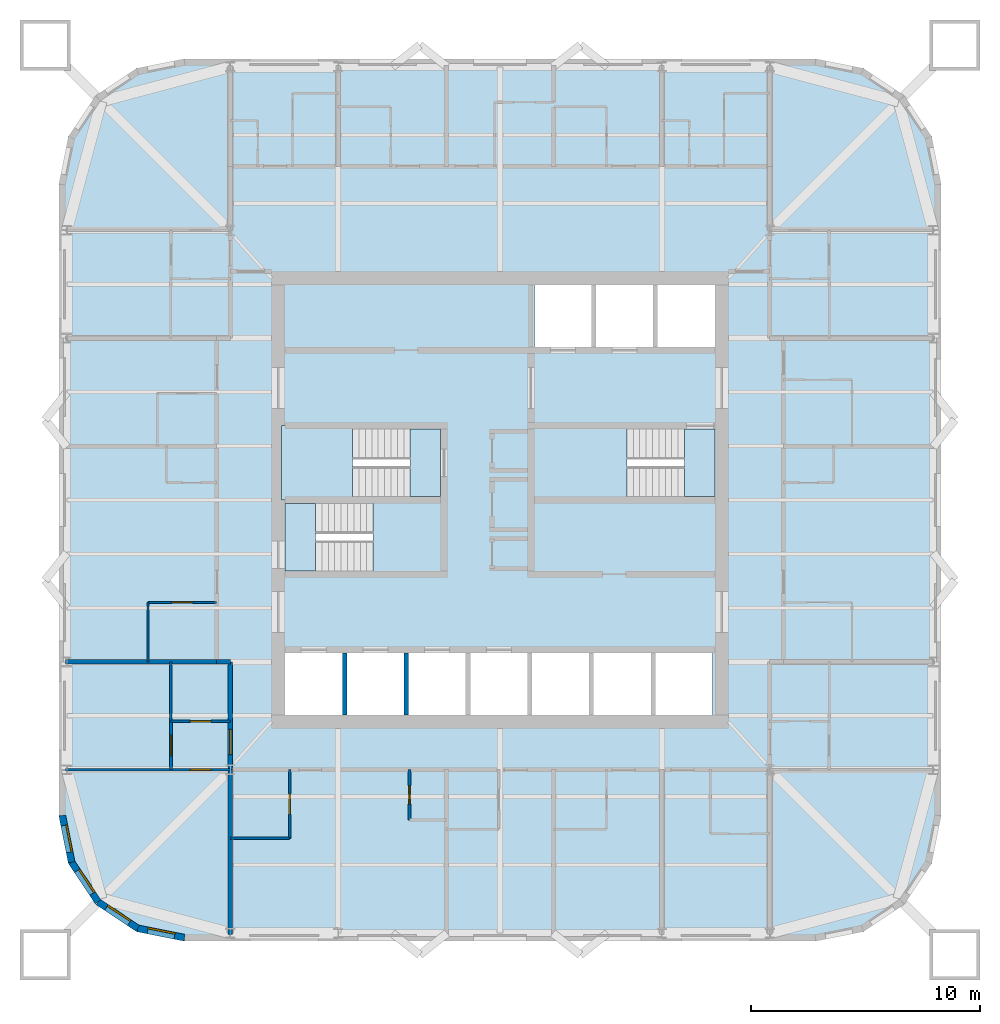
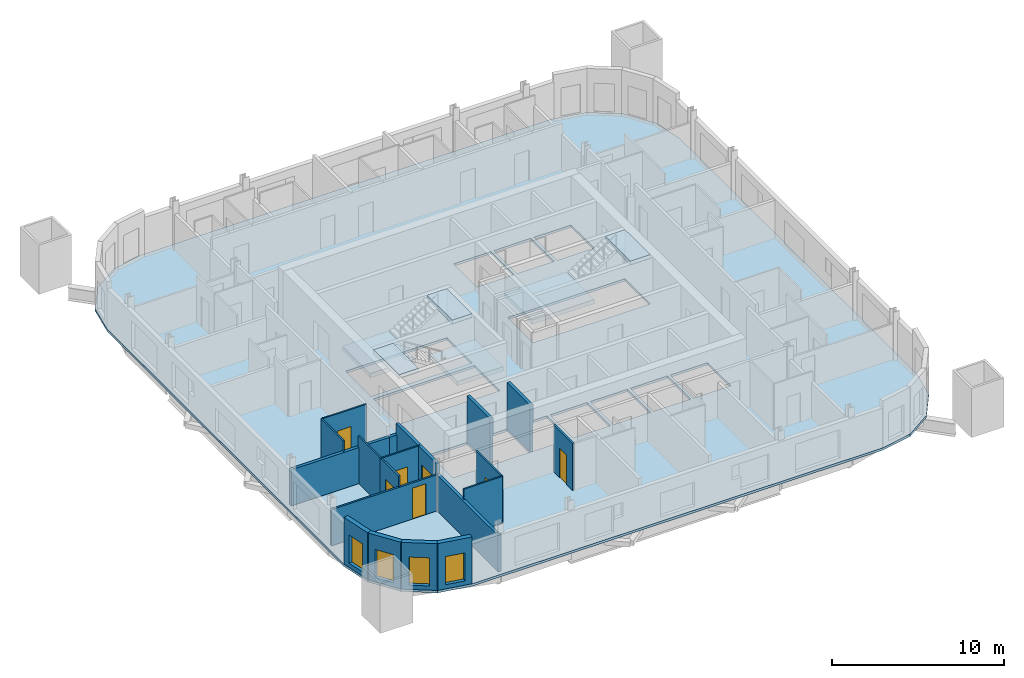
# One storey, part 2 of 9: 19 walls, 7 doors, 7 slabs, 4 windows, 11 openings, 3 elements without a shape of their own.
"""IFC4 building model written with IfcOpenShell, lengths in metres."""

from ifc_helpers import new_model, si_unit, direction, frame, frame_2d, origin, place, context, subcontext, project, spatial, polyline, rectangle, outline, extrude, material, layer, layer_set, type_object, element, fill, aggregate, save


model = new_model("IFC4")

# Units and contexts
model_context = context("Model", 3, precision=1e-05, world=origin(), true_north=direction((0.0, 1.0)))
body_context = subcontext(model_context, "Body", "Model", "MODEL_VIEW")
ifc_project = project(units=[si_unit("LENGTHUNIT", "METRE"), si_unit("AREAUNIT", "SQUARE_METRE"), si_unit("VOLUMEUNIT", "CUBIC_METRE"), si_unit("PLANEANGLEUNIT", "RADIAN"), si_unit("MASSUNIT", "GRAM", prefix="KILO")], contexts=[model_context])

# Site, building, storey
site_placement = place(None, origin())
site = spatial("IfcSite", under=ifc_project, at=site_placement, CompositionType="ELEMENT")
building_placement = place(site_placement, origin())
building = spatial("IfcBuilding", under=site, at=building_placement, Name="Turquesa Mirador Hotel Tower", CompositionType="ELEMENT")
storey_placement = place(building_placement, frame((0.0, 0.0, 186.300048828125)))
storey = spatial("IfcBuildingStorey", under=building, at=storey_placement, Name="L50", CompositionType="ELEMENT", Elevation=186.300048828125)

# Slab
ifc_material_1 = material(Name="Concrete C28/35", Category="concrete")
ifc_layer_1 = layer(ifc_material_1, 0.169921875)
ifc_layer_set_1 = layer_set([ifc_layer_1], Name="COMPOSITE FLOOR SLAB 170")
slab_type_1 = type_object("IfcSlabType", Name="COMPOSITE FLOOR SLAB 170", PredefinedType="FLOOR", material=ifc_layer_set_1)
slab_1_placement = place(storey_placement, frame((0.0, 0.0, -0.170166015625)))
element("IfcSlab", 1, at=slab_1_placement, inside=storey, type_object=slab_type_1, Name="Floor slab L50", PredefinedType="FLOOR", context=body_context, shape_type="SweptSolid", body=[
    extrude(outline(polyline([(68.800048828125, 25.699951171875), (70.90478515625, 26.11865234375), (72.689208984375, 27.310791015625), (73.88134765625, 29.09521484375), (74.300048828125, 31.199951171875), (74.300048828125, 58.800048828125), (73.88134765625, 60.90478515625), (72.689208984375, 62.689208984375), (70.90478515625, 63.88134765625), (68.800048828125, 64.300048828125), (41.199951171875, 64.300048828125), (39.09521484375, 63.88134765625), (37.310791015625, 62.689208984375), (36.11865234375, 60.90478515625), (35.699951171875, 58.800048828125), (35.699951171875, 31.199951171875), (36.11865234375, 29.09521484375), (37.310791015625, 27.310791015625), (39.09521484375, 26.11865234375), (41.199951171875, 25.699951171875), (68.800048828125, 25.699951171875)]), holes=[polyline([(56.5, 51.699951171875), (59.0, 51.699951171875), (59.0, 54.39990234375), (56.5, 54.39990234375), (56.5, 51.699951171875)]), polyline([(59.199951171875, 51.699951171875), (61.699951171875, 51.699951171875), (61.699951171875, 54.39990234375), (59.199951171875, 54.39990234375), (59.199951171875, 51.699951171875)]), polyline([(45.60009765625, 35.60009765625), (48.10009765625, 35.60009765625), (48.10009765625, 38.300048828125), (45.60009765625, 38.300048828125), (45.60009765625, 35.60009765625)]), polyline([(48.300048828125, 35.60009765625), (50.800048828125, 35.60009765625), (50.800048828125, 38.300048828125), (48.300048828125, 38.300048828125), (48.300048828125, 35.60009765625)]), polyline([(51.0, 35.60009765625), (53.5, 35.60009765625), (53.5, 38.300048828125), (51.0, 38.300048828125), (51.0, 35.60009765625)]), polyline([(53.699951171875, 35.60009765625), (56.199951171875, 35.60009765625), (56.199951171875, 38.300048828125), (53.699951171875, 38.300048828125), (53.699951171875, 35.60009765625)]), polyline([(56.39990234375, 35.60009765625), (58.89990234375, 35.60009765625), (58.89990234375, 38.300048828125), (56.39990234375, 38.300048828125), (56.39990234375, 35.60009765625)]), polyline([(59.10009765625, 35.60009765625), (61.60009765625, 35.60009765625), (61.60009765625, 38.300048828125), (59.10009765625, 38.300048828125), (59.10009765625, 35.60009765625)]), polyline([(61.800048828125, 35.60009765625), (64.300048828125, 35.60009765625), (64.300048828125, 38.300048828125), (61.800048828125, 38.300048828125), (61.800048828125, 35.60009765625)]), polyline([(45.60009765625, 45.14990234375), (52.39990234375, 45.14990234375), (52.39990234375, 48.10009765625), (45.60009765625, 48.10009765625), (45.60009765625, 45.14990234375)]), polyline([(45.60009765625, 41.89990234375), (52.39990234375, 41.89990234375), (52.39990234375, 44.85009765625), (45.60009765625, 44.85009765625), (45.60009765625, 41.89990234375)]), polyline([(56.5, 45.14990234375), (64.39990234375, 45.14990234375), (64.39990234375, 48.10009765625), (56.5, 48.10009765625), (56.5, 45.14990234375)]), polyline([(61.89990234375, 51.699951171875), (64.39990234375, 51.699951171875), (64.39990234375, 54.39990234375), (61.89990234375, 54.39990234375), (61.89990234375, 51.699951171875)])]), origin(), (0.0, 0.0, 1.0), 0.170166015625),
])

# Stair, slabs
ifc_material_2 = material(Name="Concrete C35/45", Category="concrete")
stair_type = type_object("IfcStairType", Name="ESCAPE STAIR CORE", PredefinedType="HALF_TURN_STAIR", material=ifc_material_2)
stair_1_placement = place(storey_placement, origin())
stair_1 = element("IfcStair", 2, at=stair_1_placement, inside=storey, type_object=stair_type, Name="Stair ST1 L50 to L51", PredefinedType="HALF_TURN_STAIR")
ifc_material_3 = material(Name="Concrete C35/45", Category="concrete")
ifc_layer_2 = layer(ifc_material_3, 0.300048828125)
ifc_layer_set_2 = layer_set([ifc_layer_2], Name="STAIR LANDING 300")
slab_type_2 = type_object("IfcSlabType", Name="STAIR LANDING 300", PredefinedType="LANDING", material=ifc_layer_set_2)
slab_2_placement = place(storey_placement, frame((0.0, 0.0, 1.449951171875)))
slab_2 = element("IfcSlab", 3, at=slab_2_placement, type_object=slab_type_2, Name="ST1 landing 1", PredefinedType="LANDING", context=body_context, shape_type="SweptSolid", body=[
    extrude(outline(polyline([(45.449951171875, 45.0), (48.550048828125, 45.0), (48.550048828125, 48.25), (45.449951171875, 48.25), (45.449951171875, 45.0)])), origin(), (0.0, 0.0, 1.0), 0.300048828125),
])
slab_3_placement = place(storey_placement, frame((0.0, 0.0, 3.199951171875)))
slab_3 = element("IfcSlab", 4, at=slab_3_placement, type_object=slab_type_2, Name="ST1 landing 2", PredefinedType="LANDING", context=body_context, shape_type="SweptSolid", body=[
    extrude(outline(polyline([(51.070068359375, 45.14990234375), (52.39990234375, 45.14990234375), (52.39990234375, 48.10009765625), (51.070068359375, 48.10009765625), (51.070068359375, 45.14990234375)])), origin(), (0.0, 0.0, 1.0), 0.300048828125),
])
aggregate(stair_1, [slab_2, slab_3])

stair_2_placement = place(storey_placement, origin())
stair_2 = element("IfcStair", 5, at=stair_2_placement, inside=storey, type_object=stair_type, Name="Stair ST2 L50 to L51", PredefinedType="HALF_TURN_STAIR")
slab_4_placement = place(storey_placement, frame((0.0, 0.0, 1.449951171875)))
slab_4 = element("IfcSlab", 6, at=slab_4_placement, type_object=slab_type_2, Name="ST2 landing 1", PredefinedType="LANDING", context=body_context, shape_type="SweptSolid", body=[
    extrude(outline(polyline([(52.550048828125, 45.0), (49.449951171875, 45.0), (49.449951171875, 41.75), (52.550048828125, 41.75), (52.550048828125, 45.0)])), origin(), (0.0, 0.0, 1.0), 0.300048828125),
])
slab_5_placement = place(storey_placement, frame((0.0, 0.0, 3.199951171875)))
slab_5 = element("IfcSlab", 7, at=slab_5_placement, type_object=slab_type_2, Name="ST2 landing 2", PredefinedType="LANDING", context=body_context, shape_type="SweptSolid", body=[
    extrude(outline(polyline([(46.929931640625, 44.85009765625), (45.60009765625, 44.85009765625), (45.60009765625, 41.89990234375), (46.929931640625, 41.89990234375), (46.929931640625, 44.85009765625)])), origin(), (0.0, 0.0, 1.0), 0.300048828125),
])
aggregate(stair_2, [slab_4, slab_5])

stair_3_placement = place(storey_placement, origin())
stair_3 = element("IfcStair", 8, at=stair_3_placement, inside=storey, type_object=stair_type, Name="Stair ST3 L50 to L51", PredefinedType="HALF_TURN_STAIR")
slab_6_placement = place(storey_placement, frame((0.0, 0.0, 1.449951171875)))
slab_6 = element("IfcSlab", 9, at=slab_6_placement, type_object=slab_type_2, Name="ST3 landing 1", PredefinedType="LANDING", context=body_context, shape_type="SweptSolid", body=[
    extrude(outline(polyline([(56.35009765625, 45.0), (60.550048828125, 45.0), (60.550048828125, 48.25), (56.35009765625, 48.25), (56.35009765625, 45.0)])), origin(), (0.0, 0.0, 1.0), 0.300048828125),
])
slab_7_placement = place(storey_placement, frame((0.0, 0.0, 3.199951171875)))
slab_7 = element("IfcSlab", 10, at=slab_7_placement, type_object=slab_type_2, Name="ST3 landing 2", PredefinedType="LANDING", context=body_context, shape_type="SweptSolid", body=[
    extrude(outline(polyline([(63.070068359375, 45.14990234375), (64.39990234375, 45.14990234375), (64.39990234375, 48.10009765625), (63.070068359375, 48.10009765625), (63.070068359375, 45.14990234375)])), origin(), (0.0, 0.0, 1.0), 0.300048828125),
])
aggregate(stair_3, [slab_6, slab_7])

# Wall
ifc_material_4 = material(Name="Gypsum board on steel studs", Category="steel")
ifc_layer_3 = layer(ifc_material_4, 0.10009765625)
ifc_layer_set_3 = layer_set([ifc_layer_3], Name="BATHROOM WALL 100")
wall_type_1 = type_object("IfcWallType", Name="BATHROOM WALL 100", PredefinedType="PARTITIONING", material=ifc_layer_set_3)
wall_1_placement = place(storey_placement, frame((43.199951171875, 30.199951171875, 0.0), z_axis=(0.0, 0.0, 1.0), x_axis=(1.0, 0.0, 0.0)))
element("IfcWall", 11, at=wall_1_placement, inside=storey, type_object=wall_type_1, Name="Partition L50 008", PredefinedType="PARTITIONING", context=body_context, shape_type="SweptSolid", body=[
    extrude(rectangle(XDim=2.60009765625, YDim=0.10009765625, at=frame_2d((1.300048828125, 0.0))), origin(), (0.0, 0.0, 1.0), 3.329833984375),
])

# Wall, opening, door
wall_2_placement = place(storey_placement, frame((39.60009765625, 40.52001953125, 0.0), z_axis=(0.0, 0.0, 1.0), x_axis=(1.0, 0.0, 0.0)))
wall_2 = element("IfcWall", 12, at=wall_2_placement, inside=storey, type_object=wall_type_1, Name="Partition L50 009", PredefinedType="PARTITIONING", context=body_context, shape_type="SweptSolid", body=[
    extrude(rectangle(XDim=3.0, YDim=0.10009765625, at=frame_2d((1.5, 0.0))), origin(), (0.0, 0.0, 1.0), 3.329833984375),
])
opening_1_placement = place(wall_2_placement, frame((1.050048828125, 0.0, 0.0)))
opening_1 = element("IfcOpeningElement", 13, at=opening_1_placement, cuts=wall_2, Name="Opening D02", PredefinedType="OPENING", context=body_context, shape_type="SweptSolid", body=[
    extrude(rectangle(XDim=0.89990234375, YDim=2.10009765625, at=frame_2d((0.449951171875, 1.050048828125))), frame((0.0, 0.06005859375, 0.0), z_axis=(0.0, -1.0, 0.0), x_axis=(1.0, 0.0, 0.0)), (0.0, 0.0, 1.0), 0.1201171875),
])
ifc_material_5 = material(Name="Timber veneered door", Category="wood")
door_type_1 = type_object("IfcDoorType", Name="DOOR 900X2100 EN-SUITE", OperationType="SINGLE_SWING_RIGHT", PredefinedType="DOOR", material=ifc_material_5)
door_1_placement = place(opening_1_placement, origin())
door_1 = element("IfcDoor", 14, at=door_1_placement, inside=storey, type_object=door_type_1, Name="Door 5012B", OperationType="SINGLE_SWING_RIGHT", OverallHeight=2.10009765625, OverallWidth=0.89990234375, PredefinedType="DOOR", context=body_context, shape_type="SweptSolid", body=[
    extrude(rectangle(XDim=0.89990234375, YDim=2.10009765625, at=frame_2d((0.449951171875, 1.050048828125))), frame((0.0, 0.02490234375, 0.0), z_axis=(0.0, -1.0, 0.0), x_axis=(1.0, 0.0, 0.0)), (0.0, 0.0, 1.0), 0.050048828125),
])
fill(opening_1, door_1)

wall_3_placement = place(storey_placement, frame((40.60009765625, 35.320068359375, 0.0), z_axis=(0.0, 0.0, 1.0), x_axis=(1.0, 0.0, 0.0)))
wall_3 = element("IfcWall", 15, at=wall_3_placement, inside=storey, type_object=wall_type_1, Name="Partition L50 015", PredefinedType="PARTITIONING", context=body_context, shape_type="SweptSolid", body=[
    extrude(rectangle(XDim=2.599853515625, YDim=0.10009765625, at=frame_2d((1.2998046875, 0.0))), origin(), (0.0, 0.0, 1.0), 3.329833984375),
])
opening_2_placement = place(wall_3_placement, frame((0.85009765625, 0.0, 0.0)))
opening_2 = element("IfcOpeningElement", 16, at=opening_2_placement, cuts=wall_3, Name="Opening D02", PredefinedType="OPENING", context=body_context, shape_type="SweptSolid", body=[
    extrude(rectangle(XDim=0.89990234375, YDim=2.10009765625, at=frame_2d((0.449951171875, 1.050048828125))), frame((0.0, 0.06005859375, 0.0), z_axis=(0.0, -1.0, 0.0), x_axis=(1.0, 0.0, 0.0)), (0.0, 0.0, 1.0), 0.1201171875),
])
door_2_placement = place(opening_2_placement, origin())
door_2 = element("IfcDoor", 17, at=door_2_placement, inside=storey, type_object=door_type_1, Name="Door 5016B", OperationType="SINGLE_SWING_RIGHT", OverallHeight=2.10009765625, OverallWidth=0.89990234375, PredefinedType="DOOR", context=body_context, shape_type="SweptSolid", body=[
    extrude(rectangle(XDim=0.89990234375, YDim=2.10009765625, at=frame_2d((0.449951171875, 1.050048828125))), frame((0.0, 0.02490234375, 0.0), z_axis=(0.0, -1.0, 0.0), x_axis=(1.0, 0.0, 0.0)), (0.0, 0.0, 1.0), 0.050048828125),
])
fill(opening_2, door_2)

# Walls
wall_4_placement = place(storey_placement, frame((40.60009765625, 35.320068359375, 0.0), z_axis=(0.0, 0.0, 1.0), x_axis=(0.0, 1.0, 0.0)))
element("IfcWall", 18, at=wall_4_placement, inside=storey, type_object=wall_type_1, Name="Partition L50 049", PredefinedType="PARTITIONING", context=body_context, shape_type="SweptSolid", body=[
    extrude(rectangle(XDim=2.599853515625, YDim=0.10009765625, at=frame_2d((1.2998046875, 0.0))), origin(), (0.0, 0.0, 1.0), 3.329833984375),
])
wall_5_placement = place(storey_placement, frame((39.60009765625, 37.919921875, 0.0), z_axis=(0.0, 0.0, 1.0), x_axis=(0.0, 1.0, 0.0)))
element("IfcWall", 19, at=wall_5_placement, inside=storey, type_object=wall_type_1, Name="Partition L50 055", PredefinedType="PARTITIONING", context=body_context, shape_type="SweptSolid", body=[
    extrude(rectangle(XDim=2.60009765625, YDim=0.10009765625, at=frame_2d((1.300048828125, 0.0))), origin(), (0.0, 0.0, 1.0), 3.329833984375),
])

# Wall, opening, door
wall_6_placement = place(storey_placement, frame((45.800048828125, 30.199951171875, 0.0), z_axis=(0.0, 0.0, 1.0), x_axis=(0.0, 1.0, 0.0)))
wall_6 = element("IfcWall", 20, at=wall_6_placement, inside=storey, type_object=wall_type_1, Name="Partition L50 062", PredefinedType="PARTITIONING", context=body_context, shape_type="SweptSolid", body=[
    extrude(rectangle(XDim=3.0, YDim=0.10009765625, at=frame_2d((1.5, 0.0))), origin(), (0.0, 0.0, 1.0), 3.329833984375),
])
opening_3_placement = place(wall_6_placement, frame((1.050048828125, 0.0, 0.0)))
opening_3 = element("IfcOpeningElement", 21, at=opening_3_placement, cuts=wall_6, Name="Opening D02", PredefinedType="OPENING", context=body_context, shape_type="SweptSolid", body=[
    extrude(rectangle(XDim=0.89990234375, YDim=2.10009765625, at=frame_2d((0.449951171875, 1.050048828125))), frame((0.0, 0.06005859375, 0.0), z_axis=(0.0, -1.0, 0.0), x_axis=(1.0, 0.0, 0.0)), (0.0, 0.0, 1.0), 0.1201171875),
])
door_3_placement = place(opening_3_placement, origin())
door_3 = element("IfcDoor", 22, at=door_3_placement, inside=storey, type_object=door_type_1, Name="Door 5006B", OperationType="SINGLE_SWING_RIGHT", OverallHeight=2.10009765625, OverallWidth=0.89990234375, PredefinedType="DOOR", context=body_context, shape_type="SweptSolid", body=[
    extrude(rectangle(XDim=0.89990234375, YDim=2.10009765625, at=frame_2d((0.449951171875, 1.050048828125))), frame((0.0, 0.02490234375, 0.0), z_axis=(0.0, -1.0, 0.0), x_axis=(1.0, 0.0, 0.0)), (0.0, 0.0, 1.0), 0.050048828125),
])
fill(opening_3, door_3)

# Wall
ifc_material_6 = material(Name="Fire-rated gypsum board on steel studs", Category="steel")
ifc_layer_4 = layer(ifc_material_6, 0.199951171875)
ifc_layer_set_4 = layer_set([ifc_layer_4], Name="CORRIDOR WALL 200")
wall_type_2 = type_object("IfcWallType", Name="CORRIDOR WALL 200", PredefinedType="PARTITIONING", material=ifc_layer_set_4)
wall_7_placement = place(storey_placement, frame((42.60009765625, 37.919921875, 0.0), z_axis=(0.0, 0.0, 1.0), x_axis=(1.0, 0.0, 0.0)))
element("IfcWall", 23, at=wall_7_placement, inside=storey, type_object=wall_type_2, Name="Partition L50 011", PredefinedType="PARTITIONING", context=body_context, shape_type="SweptSolid", body=[
    extrude(rectangle(XDim=0.599853515625, YDim=0.199951171875, at=frame_2d((0.2998046875, 0.0))), origin(), (0.0, 0.0, 1.0), 2.572998046875),
])

# Wall, opening, door
wall_8_placement = place(storey_placement, frame((43.199951171875, 33.199951171875, 0.0), z_axis=(0.0, 0.0, 1.0), x_axis=(0.0, 1.0, 0.0)))
wall_8 = element("IfcWall", 24, at=wall_8_placement, inside=storey, type_object=wall_type_2, Name="Partition L50 044", PredefinedType="PARTITIONING", context=body_context, shape_type="SweptSolid", body=[
    extrude(rectangle(XDim=4.719970703125, YDim=0.199951171875, at=frame_2d((2.35986328125, 0.0))), origin(), (0.0, 0.0, 1.0), 3.329833984375),
])
opening_4_placement = place(wall_8_placement, frame((0.659912109375, 0.0, 0.0)))
opening_4 = element("IfcOpeningElement", 25, at=opening_4_placement, cuts=wall_8, Name="Opening D15", PredefinedType="OPENING", context=body_context, shape_type="SweptSolid", body=[
    extrude(rectangle(XDim=1.10009765625, YDim=2.199951171875, at=frame_2d((0.550048828125, 1.10009765625))), frame((0.0, 0.10986328125, 0.0), z_axis=(0.0, -1.0, 0.0), x_axis=(1.0, 0.0, 0.0)), (0.0, 0.0, 1.0), 0.219970703125),
])
ifc_material_7 = material(Name="Timber veneered fire door", Category="wood")
door_type_2 = type_object("IfcDoorType", Name="DOOR 1100X2200 SUITE ENTRY", OperationType="SINGLE_SWING_LEFT", PredefinedType="DOOR", material=ifc_material_7)
door_4_placement = place(opening_4_placement, origin())
door_4 = element("IfcDoor", 26, at=door_4_placement, inside=storey, type_object=door_type_2, Name="Door 5016H", OperationType="SINGLE_SWING_LEFT", OverallHeight=2.199951171875, OverallWidth=1.10009765625, PredefinedType="DOOR", context=body_context, shape_type="SweptSolid", body=[
    extrude(rectangle(XDim=1.10009765625, YDim=2.199951171875, at=frame_2d((0.550048828125, 1.10009765625))), frame((0.0, 0.02490234375, 0.0), z_axis=(0.0, -1.0, 0.0), x_axis=(1.0, 0.0, 0.0)), (0.0, 0.0, 1.0), 0.050048828125),
])
fill(opening_4, door_4)

# Wall, opening, window
ifc_material_8 = material(Name="Limestone cladding on concrete block", Category="masonry")
ifc_layer_5 = layer(ifc_material_8, 0.300048828125)
ifc_layer_set_5 = layer_set([ifc_layer_5], Name="FACADE WALL 300 STONE SCREEN")
wall_type_3 = type_object("IfcWallType", Name="FACADE WALL 300 STONE SCREEN", PredefinedType="SOLIDWALL", material=ifc_layer_set_5)
wall_9_placement = place(storey_placement, frame((35.85009765625, 31.199951171875, 0.0), z_axis=(0.0, 0.0, 1.0), x_axis=(0.195081421501, -0.980787050784, 0.0)))
wall_9 = element("IfcWall", 27, at=wall_9_placement, inside=storey, type_object=wall_type_3, Name="Facade wall L50 15", PredefinedType="SOLIDWALL", context=body_context, shape_type="SweptSolid", body=[
    extrude(rectangle(XDim=2.08740234375, YDim=0.300048828125, at=frame_2d((1.043701171875, 0.0))), origin(), (0.0, 0.0, 1.0), 3.329833984375),
])
opening_5_placement = place(wall_9_placement, frame((0.443603515625, 0.0, 0.300048828125)))
opening_5 = element("IfcOpeningElement", 28, at=opening_5_placement, cuts=wall_9, Name="Opening WN4", PredefinedType="OPENING", context=body_context, shape_type="SweptSolid", body=[
    extrude(rectangle(XDim=1.199951171875, YDim=2.0, at=frame_2d((0.60009765625, 1.0))), frame((0.0, 0.159912109375, 0.0), z_axis=(0.0, -1.0, 0.0), x_axis=(1.0, 0.0, 0.0)), (0.0, 0.0, 1.0), 0.320068359375),
])
ifc_material_9 = material(Name="Ceramic-fritted laminated glass", Category="glass")
window_type = type_object("IfcWindowType", Name="FRITTED CORNER WINDOW 1200X2000", PartitioningType="DOUBLE_PANEL_HORIZONTAL", PredefinedType="WINDOW", material=ifc_material_9)
window_1_placement = place(opening_5_placement, origin())
window_1 = element("IfcWindow", 29, at=window_1_placement, inside=storey, type_object=window_type, Name="Window L50", OverallHeight=2.0, OverallWidth=1.199951171875, PartitioningType="SINGLE_PANEL", PredefinedType="WINDOW", context=body_context, shape_type="SweptSolid", body=[
    extrude(rectangle(XDim=1.199951171875, YDim=2.0, at=frame_2d((0.60009765625, 1.0))), frame((0.0, 0.130126953125, 0.0), z_axis=(0.0, -1.0, 0.0), x_axis=(1.0, 0.0, 0.0)), (0.0, 0.0, 1.0), 0.06005859375),
])
fill(opening_5, window_1)

wall_10_placement = place(storey_placement, frame((36.25732421875, 29.152587890625, 0.0), z_axis=(0.0, 0.0, 1.0), x_axis=(0.555563607591, -0.831474039234, 0.0)))
wall_10 = element("IfcWall", 30, at=wall_10_placement, inside=storey, type_object=wall_type_3, Name="Facade wall L50 16", PredefinedType="SOLIDWALL", context=body_context, shape_type="SweptSolid", body=[
    extrude(rectangle(XDim=2.08740234375, YDim=0.300048828125, at=frame_2d((1.043701171875, 0.0))), origin(), (0.0, 0.0, 1.0), 3.329833984375),
])
opening_6_placement = place(wall_10_placement, frame((0.443603515625, 0.0, 0.300048828125)))
opening_6 = element("IfcOpeningElement", 31, at=opening_6_placement, cuts=wall_10, Name="Opening WN4", PredefinedType="OPENING", context=body_context, shape_type="SweptSolid", body=[
    extrude(rectangle(XDim=1.199951171875, YDim=2.0, at=frame_2d((0.60009765625, 1.0))), frame((0.0, 0.159912109375, 0.0), z_axis=(0.0, -1.0, 0.0), x_axis=(1.0, 0.0, 0.0)), (0.0, 0.0, 1.0), 0.320068359375),
])
window_2_placement = place(opening_6_placement, origin())
window_2 = element("IfcWindow", 32, at=window_2_placement, inside=storey, type_object=window_type, Name="Window L50", OverallHeight=2.0, OverallWidth=1.199951171875, PartitioningType="SINGLE_PANEL", PredefinedType="WINDOW", context=body_context, shape_type="SweptSolid", body=[
    extrude(rectangle(XDim=1.199951171875, YDim=2.0, at=frame_2d((0.60009765625, 1.0))), frame((0.0, 0.130126953125, 0.0), z_axis=(0.0, -1.0, 0.0), x_axis=(1.0, 0.0, 0.0)), (0.0, 0.0, 1.0), 0.06005859375),
])
fill(opening_6, window_2)

wall_11_placement = place(storey_placement, frame((37.4169921875, 27.4169921875, 0.0), z_axis=(0.0, 0.0, 1.0), x_axis=(0.831474039234, -0.555563607591, 0.0)))
wall_11 = element("IfcWall", 33, at=wall_11_placement, inside=storey, type_object=wall_type_3, Name="Facade wall L50 17", PredefinedType="SOLIDWALL", context=body_context, shape_type="SweptSolid", body=[
    extrude(rectangle(XDim=2.08740234375, YDim=0.300048828125, at=frame_2d((1.043701171875, 0.0))), origin(), (0.0, 0.0, 1.0), 3.329833984375),
])
opening_7_placement = place(wall_11_placement, frame((0.443603515625, 0.0, 0.300048828125)))
opening_7 = element("IfcOpeningElement", 34, at=opening_7_placement, cuts=wall_11, Name="Opening WN4", PredefinedType="OPENING", context=body_context, shape_type="SweptSolid", body=[
    extrude(rectangle(XDim=1.199951171875, YDim=2.0, at=frame_2d((0.60009765625, 1.0))), frame((0.0, 0.159912109375, 0.0), z_axis=(0.0, -1.0, 0.0), x_axis=(1.0, 0.0, 0.0)), (0.0, 0.0, 1.0), 0.320068359375),
])
window_3_placement = place(opening_7_placement, origin())
window_3 = element("IfcWindow", 35, at=window_3_placement, inside=storey, type_object=window_type, Name="Window L50", OverallHeight=2.0, OverallWidth=1.199951171875, PartitioningType="SINGLE_PANEL", PredefinedType="WINDOW", context=body_context, shape_type="SweptSolid", body=[
    extrude(rectangle(XDim=1.199951171875, YDim=2.0, at=frame_2d((0.60009765625, 1.0))), frame((0.0, 0.130126953125, 0.0), z_axis=(0.0, -1.0, 0.0), x_axis=(1.0, 0.0, 0.0)), (0.0, 0.0, 1.0), 0.06005859375),
])
fill(opening_7, window_3)

wall_12_placement = place(storey_placement, frame((39.152587890625, 26.25732421875, 0.0), z_axis=(0.0, 0.0, 1.0), x_axis=(0.980787050784, -0.195081421501, 0.0)))
wall_12 = element("IfcWall", 36, at=wall_12_placement, inside=storey, type_object=wall_type_3, Name="Facade wall L50 18", PredefinedType="SOLIDWALL", context=body_context, shape_type="SweptSolid", body=[
    extrude(rectangle(XDim=2.08740234375, YDim=0.300048828125, at=frame_2d((1.043701171875, 0.0))), origin(), (0.0, 0.0, 1.0), 3.329833984375),
])
opening_8_placement = place(wall_12_placement, frame((0.443603515625, 0.0, 0.300048828125)))
opening_8 = element("IfcOpeningElement", 37, at=opening_8_placement, cuts=wall_12, Name="Opening WN4", PredefinedType="OPENING", context=body_context, shape_type="SweptSolid", body=[
    extrude(rectangle(XDim=1.199951171875, YDim=2.0, at=frame_2d((0.60009765625, 1.0))), frame((0.0, 0.159912109375, 0.0), z_axis=(0.0, -1.0, 0.0), x_axis=(1.0, 0.0, 0.0)), (0.0, 0.0, 1.0), 0.320068359375),
])
window_4_placement = place(opening_8_placement, origin())
window_4 = element("IfcWindow", 38, at=window_4_placement, inside=storey, type_object=window_type, Name="Window L50", OverallHeight=2.0, OverallWidth=1.199951171875, PartitioningType="SINGLE_PANEL", PredefinedType="WINDOW", context=body_context, shape_type="SweptSolid", body=[
    extrude(rectangle(XDim=1.199951171875, YDim=2.0, at=frame_2d((0.60009765625, 1.0))), frame((0.0, 0.130126953125, 0.0), z_axis=(0.0, -1.0, 0.0), x_axis=(1.0, 0.0, 0.0)), (0.0, 0.0, 1.0), 0.06005859375),
])
fill(opening_8, window_4)

# Walls
ifc_material_10 = material(Name="Fire-rated gypsum shaft wall on steel studs", Category="steel")
ifc_layer_6 = layer(ifc_material_10, 0.199951171875)
ifc_layer_set_6 = layer_set([ifc_layer_6], Name="LIFT SHAFT DIVIDER 200")
wall_type_4 = type_object("IfcWallType", Name="LIFT SHAFT DIVIDER 200", PredefinedType="PARTITIONING", material=ifc_layer_set_6)
for number, where, z_axis, x_axis, name in (
    (39, (48.199951171875, 35.60009765625, 0.0), (0.0, 0.0, 1.0), (0.0, 1.0, 0.0), "Lift shaft divider"),
    (40, (50.89990234375, 35.60009765625, 0.0), (0.0, 0.0, 1.0), (0.0, 1.0, 0.0), "Lift shaft divider"),
):
    element("IfcWall", number, at=place(storey_placement, frame(where, z_axis=z_axis, x_axis=x_axis)), inside=storey, type_object=wall_type_4, Name=name, PredefinedType="PARTITIONING", context=body_context, shape_type="SweptSolid", body=[
        extrude(rectangle(XDim=2.699951171875, YDim=0.199951171875, at=frame_2d((1.35009765625, 0.0))), origin(), (0.0, 0.0, 1.0), 3.329833984375),
    ])
ifc_material_11 = material(Name="Fire-rated gypsum board on steel studs", Category="steel")
ifc_layer_7 = layer(ifc_material_11, 0.199951171875)
ifc_layer_set_7 = layer_set([ifc_layer_7], Name="PARTY WALL 200")
wall_type_5 = type_object("IfcWallType", Name="PARTY WALL 200", PredefinedType="PARTITIONING", material=ifc_layer_set_7)
wall_13_placement = place(storey_placement, frame((36.0, 37.919921875, 0.0), z_axis=(0.0, 0.0, 1.0), x_axis=(1.0, 0.0, 0.0)))
element("IfcWall", 41, at=wall_13_placement, inside=storey, type_object=wall_type_5, Name="Partition L50 013", PredefinedType="PARTITIONING", context=body_context, shape_type="SweptSolid", body=[
    extrude(rectangle(XDim=6.60009765625, YDim=0.199951171875, at=frame_2d((3.300048828125, 0.0))), origin(), (0.0, 0.0, 1.0), 2.572998046875),
])
wall_14_placement = place(storey_placement, frame((43.199951171875, 26.0, 0.0), z_axis=(0.0, 0.0, 1.0), x_axis=(0.0, 1.0, 0.0)))
element("IfcWall", 42, at=wall_14_placement, inside=storey, type_object=wall_type_5, Name="Partition L50 046", PredefinedType="PARTITIONING", context=body_context, shape_type="SweptSolid", body=[
    extrude(rectangle(XDim=7.199951171875, YDim=0.199951171875, at=frame_2d((3.60009765625, 0.0))), origin(), (0.0, 0.0, 1.0), 2.572998046875),
])

# Wall, opening, door
ifc_material_12 = material(Name="Acoustic gypsum board on steel studs", Category="steel")
ifc_layer_8 = layer(ifc_material_12, 0.125)
ifc_layer_set_8 = layer_set([ifc_layer_8], Name="SUITE PARTITION 125")
wall_type_6 = type_object("IfcWallType", Name="SUITE PARTITION 125", PredefinedType="PARTITIONING", material=ifc_layer_set_8)
wall_15_placement = place(storey_placement, frame((36.0, 33.199951171875, 0.0), z_axis=(0.0, 0.0, 1.0), x_axis=(1.0, 0.0, 0.0)))
wall_15 = element("IfcWall", 43, at=wall_15_placement, inside=storey, type_object=wall_type_6, Name="Partition L50 002", PredefinedType="PARTITIONING", context=body_context, shape_type="SweptSolid", body=[
    extrude(rectangle(XDim=7.199951171875, YDim=0.125, at=frame_2d((3.60009765625, 0.0))), origin(), (0.0, 0.0, 1.0), 2.572998046875),
])
opening_9_placement = place(wall_15_placement, frame((5.449951171875, 0.0, 0.0)))
opening_9 = element("IfcOpeningElement", 44, at=opening_9_placement, cuts=wall_15, Name="Opening D17", PredefinedType="OPENING", context=body_context, shape_type="SweptSolid", body=[
    extrude(rectangle(XDim=0.89990234375, YDim=2.199951171875, at=frame_2d((0.449951171875, 1.10009765625))), frame((0.0, 0.072509765625, 0.0), z_axis=(0.0, -1.0, 0.0), x_axis=(1.0, 0.0, 0.0)), (0.0, 0.0, 1.0), 0.14501953125),
])
ifc_material_13 = material(Name="Timber veneered door", Category="wood")
door_type_3 = type_object("IfcDoorType", Name="DOOR 900X2200 SUITE INTERNAL", OperationType="SINGLE_SWING_LEFT", PredefinedType="DOOR", material=ifc_material_13)
door_5_placement = place(opening_9_placement, origin())
door_5 = element("IfcDoor", 45, at=door_5_placement, inside=storey, type_object=door_type_3, Name="Door 5016", OperationType="SINGLE_SWING_LEFT", OverallHeight=2.199951171875, OverallWidth=0.89990234375, PredefinedType="DOOR", context=body_context, shape_type="SweptSolid", body=[
    extrude(rectangle(XDim=0.89990234375, YDim=2.199951171875, at=frame_2d((0.449951171875, 1.10009765625))), frame((0.0, 0.02490234375, 0.0), z_axis=(0.0, -1.0, 0.0), x_axis=(1.0, 0.0, 0.0)), (0.0, 0.0, 1.0), 0.050048828125),
])
fill(opening_9, door_5)

wall_16_placement = place(storey_placement, frame((40.60009765625, 33.199951171875, 0.0), z_axis=(0.0, 0.0, 1.0), x_axis=(0.0, 1.0, 0.0)))
wall_16 = element("IfcWall", 46, at=wall_16_placement, inside=storey, type_object=wall_type_6, Name="Partition L50 051", PredefinedType="PARTITIONING", context=body_context, shape_type="SweptSolid", body=[
    extrude(rectangle(XDim=2.1201171875, YDim=0.125, at=frame_2d((1.06005859375, 0.0))), origin(), (0.0, 0.0, 1.0), 3.329833984375),
])
opening_10_placement = place(wall_16_placement, frame((0.610107421875, 0.0, 0.0)))
opening_10 = element("IfcOpeningElement", 47, at=opening_10_placement, cuts=wall_16, Name="Opening D17", PredefinedType="OPENING", context=body_context, shape_type="SweptSolid", body=[
    extrude(rectangle(XDim=0.89990234375, YDim=2.199951171875, at=frame_2d((0.449951171875, 1.10009765625))), frame((0.0, 0.072509765625, 0.0), z_axis=(0.0, -1.0, 0.0), x_axis=(1.0, 0.0, 0.0)), (0.0, 0.0, 1.0), 0.14501953125),
])
door_6_placement = place(opening_10_placement, origin())
door_6 = element("IfcDoor", 48, at=door_6_placement, inside=storey, type_object=door_type_3, Name="Door 5016R", OperationType="SINGLE_SWING_LEFT", OverallHeight=2.199951171875, OverallWidth=0.89990234375, PredefinedType="DOOR", context=body_context, shape_type="SweptSolid", body=[
    extrude(rectangle(XDim=0.89990234375, YDim=2.199951171875, at=frame_2d((0.449951171875, 1.10009765625))), frame((0.0, 0.02490234375, 0.0), z_axis=(0.0, -1.0, 0.0), x_axis=(1.0, 0.0, 0.0)), (0.0, 0.0, 1.0), 0.050048828125),
])
fill(opening_10, door_6)

wall_17_placement = place(storey_placement, frame((51.0400390625, 31.0, 0.0), z_axis=(0.0, 0.0, 1.0), x_axis=(0.0, 1.0, 0.0)))
wall_17 = element("IfcWall", 49, at=wall_17_placement, inside=storey, type_object=wall_type_6, Name="Partition L50 058", PredefinedType="PARTITIONING", context=body_context, shape_type="SweptSolid", body=[
    extrude(rectangle(XDim=2.199951171875, YDim=0.125, at=frame_2d((1.10009765625, 0.0))), origin(), (0.0, 0.0, 1.0), 3.329833984375),
])
opening_11_placement = place(wall_17_placement, frame((0.699951171875, 0.0, 0.0)))
opening_11 = element("IfcOpeningElement", 50, at=opening_11_placement, cuts=wall_17, Name="Opening D20", PredefinedType="OPENING", context=body_context, shape_type="SweptSolid", body=[
    extrude(rectangle(XDim=0.800048828125, YDim=2.10009765625, at=frame_2d((0.39990234375, 1.050048828125))), frame((0.0, 0.072509765625, 0.0), z_axis=(0.0, -1.0, 0.0), x_axis=(1.0, 0.0, 0.0)), (0.0, 0.0, 1.0), 0.14501953125),
])
ifc_material_14 = material(Name="Timber veneered sliding door", Category="wood")
door_type_4 = type_object("IfcDoorType", Name="DOOR 800X2100 WARDROBE", OperationType="SLIDING_TO_LEFT", PredefinedType="DOOR", material=ifc_material_14)
door_7_placement = place(opening_11_placement, origin())
door_7 = element("IfcDoor", 51, at=door_7_placement, inside=storey, type_object=door_type_4, Name="Door 5006W", OperationType="SLIDING_TO_LEFT", OverallHeight=2.10009765625, OverallWidth=0.800048828125, PredefinedType="DOOR", context=body_context, shape_type="SweptSolid", body=[
    extrude(rectangle(XDim=0.800048828125, YDim=2.10009765625, at=frame_2d((0.39990234375, 1.050048828125))), frame((0.0, 0.02490234375, 0.0), z_axis=(0.0, -1.0, 0.0), x_axis=(1.0, 0.0, 0.0)), (0.0, 0.0, 1.0), 0.050048828125),
])
fill(opening_11, door_7)

save(model, "model.ifc")
